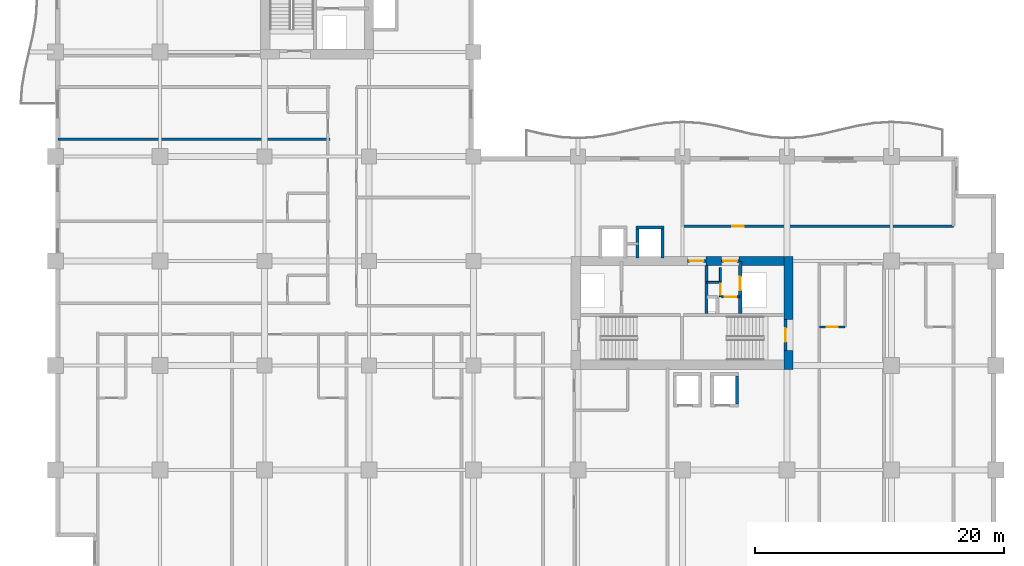
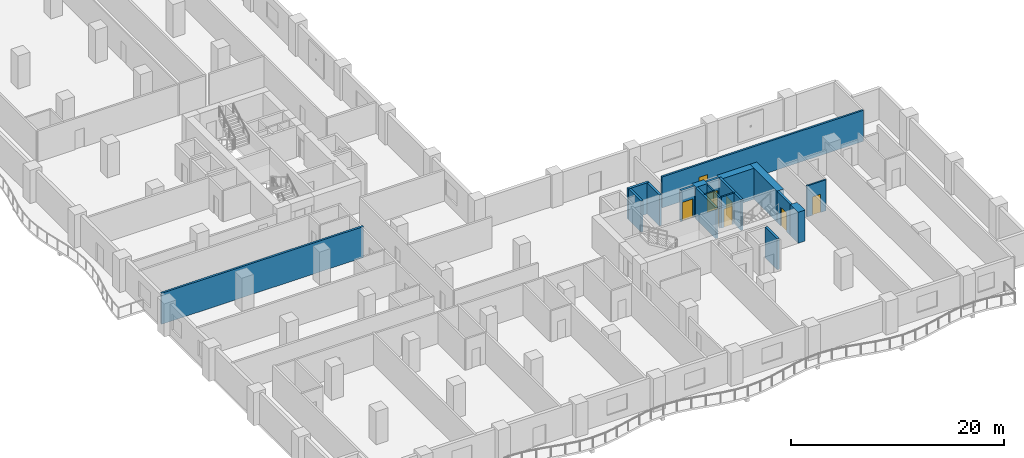
# One storey, part 9 of 21: 19 walls, 8 doors, 8 openings.
"""IFC4 building model written with IfcOpenShell, lengths in metres."""

from ifc_helpers import new_model, si_unit, direction, frame, frame_2d, origin, place, context, subcontext, project, spatial, rectangle, extrude, material, layer, layer_set, type_object, element, fill, save


model = new_model("IFC4")

# Units and contexts
model_context = context("Model", 3, precision=1e-05, world=origin(), true_north=direction((0.0, 1.0)))
body_context = subcontext(model_context, "Body", "Model", "MODEL_VIEW")
ifc_project = project(units=[si_unit("LENGTHUNIT", "METRE"), si_unit("AREAUNIT", "SQUARE_METRE"), si_unit("VOLUMEUNIT", "CUBIC_METRE"), si_unit("PLANEANGLEUNIT", "RADIAN"), si_unit("MASSUNIT", "GRAM", prefix="KILO")], contexts=[model_context])

# Site, building, storey
site_placement = place(None, origin())
site = spatial("IfcSite", under=ifc_project, at=site_placement, CompositionType="ELEMENT")
building_placement = place(site_placement, origin())
building = spatial("IfcBuilding", under=site, at=building_placement, Name="Koriwani Terraces Tower", CompositionType="ELEMENT")
storey_placement = place(building_placement, frame((0.0, 0.0, 111.39990234375)))
storey = spatial("IfcBuildingStorey", under=building, at=storey_placement, Name="L26", CompositionType="ELEMENT", Elevation=111.39990234375)

# Walls
ifc_material_1 = material(Name="Concrete C60/75", Category="concrete")
ifc_layer_1 = layer(ifc_material_1, 0.75, Name="Concrete C60/75")
ifc_layer_set_1 = layer_set([ifc_layer_1], Name="Concrete C60/75")
wall_type_1 = type_object("IfcWallType", Name="WALL_CORE_RC_750", PredefinedType="SHEAR", material=ifc_layer_set_1)
wall_1_placement = place(storey_placement, frame((58.925048828125, 16.5, 0.0), z_axis=(0.0, 0.0, 1.0), x_axis=(0.0, 1.0, 0.0)))
element("IfcWall", 1, at=wall_1_placement, inside=storey, type_object=wall_type_1, Name="L26 East Split Core Shear Wall E1", PredefinedType="SHEAR", context=body_context, shape_type="SweptSolid", body=[
    extrude(rectangle(XDim=1.5, YDim=0.75, at=frame_2d((0.75, 0.0))), origin(), (0.0, 0.0, 1.0), 3.550048828125),
])
wall_2_placement = place(storey_placement, frame((58.925048828125, 20.5, 0.0), z_axis=(0.0, 0.0, 1.0), x_axis=(0.0, 1.0, 0.0)))
element("IfcWall", 2, at=wall_2_placement, inside=storey, type_object=wall_type_1, Name="L26 East Split Core Shear Wall E2", PredefinedType="SHEAR", context=body_context, shape_type="SweptSolid", body=[
    extrude(rectangle(XDim=5.074951171875, YDim=0.75, at=frame_2d((2.53759765625, 0.0))), origin(), (0.0, 0.0, 1.0), 3.550048828125),
])
wall_3_placement = place(storey_placement, frame((52.280029296875, 25.199951171875, 0.0), z_axis=(0.0, 0.0, 1.0), x_axis=(1.0, 0.0, 0.0)))
element("IfcWall", 3, at=wall_3_placement, inside=storey, type_object=wall_type_1, Name="L26 East Split Core Shear Wall N2", PredefinedType="SHEAR", context=body_context, shape_type="SweptSolid", body=[
    extrude(rectangle(XDim=1.27001953125, YDim=0.75, at=frame_2d((0.635009765625, 0.0))), origin(), (0.0, 0.0, 1.0), 3.550048828125),
])
wall_4_placement = place(storey_placement, frame((54.949951171875, 25.199951171875, 0.0), z_axis=(0.0, 0.0, 1.0), x_axis=(1.0, 0.0, 0.0)))
element("IfcWall", 4, at=wall_4_placement, inside=storey, type_object=wall_type_1, Name="L26 East Split Core Shear Wall N3", PredefinedType="SHEAR", context=body_context, shape_type="SweptSolid", body=[
    extrude(rectangle(XDim=3.60009765625, YDim=0.75, at=frame_2d((1.800048828125, 0.0))), origin(), (0.0, 0.0, 1.0), 3.550048828125),
])

# Wall, opening, door
ifc_material_2 = material(Name="Autoclaved Cellular Concrete Blockwork", Category="masonry")
ifc_layer_2 = layer(ifc_material_2, 0.199951171875, Name="Autoclaved Cellular Concrete Blockwork")
ifc_layer_set_2 = layer_set([ifc_layer_2], Name="Autoclaved Cellular Concrete Blockwork")
wall_type_2 = type_object("IfcWallType", Name="WALL_CORRIDOR_200", PredefinedType="PARTITIONING", material=ifc_layer_set_2)
wall_5_placement = place(storey_placement, frame((50.39990234375, 28.0, 0.0), z_axis=(0.0, 0.0, 1.0), x_axis=(1.0, 0.0, 0.0)))
wall_5 = element("IfcWall", 5, at=wall_5_placement, inside=storey, type_object=wall_type_2, Name="L26 Interior Wall WSEC-S-L26", PredefinedType="PARTITIONING", context=body_context, shape_type="SweptSolid", body=[
    extrude(rectangle(XDim=21.800048828125, YDim=0.199951171875, at=frame_2d((10.89990234375, 0.0))), origin(), (0.0, 0.0, 1.0), 3.550048828125),
])
opening_1_placement = place(wall_5_placement, frame((4.0, 0.0, 0.0)))
opening_1 = element("IfcOpeningElement", 6, at=opening_1_placement, cuts=wall_5, Name="Opening D-06", PredefinedType="OPENING", context=body_context, shape_type="SweptSolid", body=[
    extrude(rectangle(XDim=0.919921875, YDim=2.10009765625, at=frame_2d((0.4599609375, 1.050048828125))), frame((0.0, 0.10986328125, 0.0), z_axis=(0.0, -1.0, 0.0), x_axis=(1.0, 0.0, 0.0)), (0.0, 0.0, 1.0), 0.219970703125),
])
ifc_material_3 = material(Name="Architectural Oak Fire Door", Category="wood")
door_type_1 = type_object("IfcDoorType", Name="DOOR_ROOM_INT_920X2100", OperationType="NOTDEFINED", PredefinedType="DOOR", material=ifc_material_3)
door_1_placement = place(opening_1_placement, origin())
door_1 = element("IfcDoor", 7, at=door_1_placement, inside=storey, type_object=door_type_1, Name="L26 East Court Study Door", OperationType="SINGLE_SWING_RIGHT", OverallHeight=2.10009765625, OverallWidth=0.919921875, PredefinedType="DOOR", context=body_context, shape_type="SweptSolid", body=[
    extrude(rectangle(XDim=0.919921875, YDim=2.10009765625, at=frame_2d((0.4599609375, 1.050048828125))), frame((0.0, 0.02490234375, 0.0), z_axis=(0.0, -1.0, 0.0), x_axis=(1.0, 0.0, 0.0)), (0.0, 0.0, 1.0), 0.050048828125),
])
fill(opening_1, door_1)

# Wall
ifc_layer_3 = layer(ifc_material_2, 0.219970703125, Name="Autoclaved Cellular Concrete Blockwork")
ifc_layer_set_3 = layer_set([ifc_layer_3], Name="Autoclaved Cellular Concrete Blockwork")
wall_type_3 = type_object("IfcWallType", Name="WALL_DEMISING_220", PredefinedType="PARTITIONING", material=ifc_layer_set_3)
wall_6_placement = place(storey_placement, frame((0.199951171875, 35.0, 0.0), z_axis=(0.0, 0.0, 1.0), x_axis=(1.0, 0.0, 0.0)))
element("IfcWall", 8, at=wall_6_placement, inside=storey, type_object=wall_type_3, Name="L26 Interior Wall WDEM-L26-NW-2", PredefinedType="PARTITIONING", context=body_context, shape_type="SweptSolid", body=[
    extrude(rectangle(XDim=21.880126953125, YDim=0.219970703125, at=frame_2d((10.93994140625, 0.0))), origin(), (0.0, 0.0, 1.0), 3.550048828125),
])

# Wall, opening, door
ifc_material_4 = material(Name="Fire-Rated Acoustic Gypsum Partition", Category="masonry")
ifc_layer_4 = layer(ifc_material_4, 0.179931640625, Name="Fire-Rated Acoustic Gypsum Partition")
ifc_layer_set_4 = layer_set([ifc_layer_4], Name="Fire-Rated Acoustic Gypsum Partition")
wall_type_4 = type_object("IfcWallType", Name="WALL_PLUMBING_180", PredefinedType="PLUMBINGWALL", material=ifc_layer_set_4)
wall_7_placement = place(storey_placement, frame((61.39990234375, 19.89990234375, 0.0), z_axis=(0.0, 0.0, 1.0), x_axis=(1.0, 0.0, 0.0)))
wall_7 = element("IfcWall", 9, at=wall_7_placement, inside=storey, type_object=wall_type_4, Name="L26 Interior Wall WBTH1-L26-SE-0", PredefinedType="PLUMBINGWALL", context=body_context, shape_type="SweptSolid", body=[
    extrude(rectangle(XDim=2.080078125, YDim=0.179931640625, at=frame_2d((1.0400390625, 0.0))), origin(), (0.0, 0.0, 1.0), 3.550048828125),
])
opening_2_placement = place(wall_7_placement, frame((0.590087890625, 0.0, 0.0)))
opening_2 = element("IfcOpeningElement", 10, at=opening_2_placement, cuts=wall_7, Name="Opening D-07", PredefinedType="OPENING", context=body_context, shape_type="SweptSolid", body=[
    extrude(rectangle(XDim=0.89990234375, YDim=2.10009765625, at=frame_2d((0.449951171875, 1.050048828125))), frame((0.0, 0.10009765625, 0.0), z_axis=(0.0, -1.0, 0.0), x_axis=(1.0, 0.0, 0.0)), (0.0, 0.0, 1.0), 0.199951171875),
])
door_type_2 = type_object("IfcDoorType", Name="DOOR_BATH_INT_900X2100", OperationType="NOTDEFINED", PredefinedType="DOOR", material=ifc_material_3)
door_2_placement = place(opening_2_placement, origin())
door_2 = element("IfcDoor", 11, at=door_2_placement, inside=storey, type_object=door_type_2, Name="En-Suite Bathroom 26SE1 Door", OperationType="SINGLE_SWING_LEFT", OverallHeight=2.10009765625, OverallWidth=0.89990234375, PredefinedType="DOOR", context=body_context, shape_type="SweptSolid", body=[
    extrude(rectangle(XDim=0.89990234375, YDim=2.10009765625, at=frame_2d((0.449951171875, 1.050048828125))), frame((0.0, 0.02490234375, 0.0), z_axis=(0.0, -1.0, 0.0), x_axis=(1.0, 0.0, 0.0)), (0.0, 0.0, 1.0), 0.050048828125),
])
fill(opening_2, door_2)

ifc_material_5 = material(Name="Concrete C40/50", Category="concrete")
ifc_layer_5 = layer(ifc_material_5, 0.25, Name="Concrete C40/50")
ifc_layer_set_5 = layer_set([ifc_layer_5], Name="Concrete C40/50")
wall_type_5 = type_object("IfcWallType", Name="WALL_SHAFT_RATED_250", PredefinedType="SOLIDWALL", material=ifc_layer_set_5)
wall_8_placement = place(storey_placement, frame((58.675048828125, 18.0, 0.0), z_axis=(0.0, 0.0, 1.0), x_axis=(0.0, 1.0, 0.0)))
wall_8 = element("IfcWall", 12, at=wall_8_placement, inside=storey, type_object=wall_type_5, Name="L26 Interior Wall WIN-CE-L26-STE", PredefinedType="SOLIDWALL", context=body_context, shape_type="SweptSolid", body=[
    extrude(rectangle(XDim=2.5, YDim=0.25, at=frame_2d((1.25, 0.0))), origin(), (0.0, 0.0, 1.0), 3.550048828125),
])
opening_3_placement = place(wall_8_placement, frame((0.699951171875, 0.0, 0.0)))
opening_3 = element("IfcOpeningElement", 13, at=opening_3_placement, cuts=wall_8, Name="Opening D-03", PredefinedType="OPENING", context=body_context, shape_type="SweptSolid", body=[
    extrude(rectangle(XDim=1.10009765625, YDim=2.14990234375, at=frame_2d((0.550048828125, 1.074951171875))), frame((0.0, 0.135009765625, 0.0), z_axis=(0.0, -1.0, 0.0), x_axis=(1.0, 0.0, 0.0)), (0.0, 0.0, 1.0), 0.27001953125),
])
ifc_material_6 = material(Name="Steel ASTM A572 Grade 50", Category="steel")
door_type_3 = type_object("IfcDoorType", Name="DOOR_STAIR_FIRE_1100X2150", OperationType="NOTDEFINED", PredefinedType="DOOR", material=ifc_material_6)
door_3_placement = place(opening_3_placement, origin())
door_3 = element("IfcDoor", 14, at=door_3_placement, inside=storey, type_object=door_type_3, Name="L26 Exit Stair ST-E2 Door", OperationType="SINGLE_SWING_RIGHT", OverallHeight=2.14990234375, OverallWidth=1.10009765625, PredefinedType="DOOR", context=body_context, shape_type="SweptSolid", body=[
    extrude(rectangle(XDim=1.10009765625, YDim=2.14990234375, at=frame_2d((0.550048828125, 1.074951171875))), frame((0.0, 0.02490234375, 0.0), z_axis=(0.0, -1.0, 0.0), x_axis=(1.0, 0.0, 0.0)), (0.0, 0.0, 1.0), 0.050048828125),
])
fill(opening_3, door_3)

wall_9_placement = place(storey_placement, frame((50.800048828125, 25.199951171875, 0.0), z_axis=(0.0, 0.0, 1.0), x_axis=(1.0, 0.0, 0.0)))
wall_9 = element("IfcWall", 15, at=wall_9_placement, inside=storey, type_object=wall_type_5, Name="L26 Interior Wall WIN-CE-L26-NP", PredefinedType="SOLIDWALL", context=body_context, shape_type="SweptSolid", body=[
    extrude(rectangle(XDim=1.47998046875, YDim=0.25, at=frame_2d((0.739990234375, 0.0))), origin(), (0.0, 0.0, 1.0), 3.550048828125),
])
opening_4_placement = place(wall_9_placement, frame((0.179931640625, 0.0, 0.0)))
opening_4 = element("IfcOpeningElement", 16, at=opening_4_placement, cuts=wall_9, Name="Opening D-03", PredefinedType="OPENING", context=body_context, shape_type="SweptSolid", body=[
    extrude(rectangle(XDim=1.10009765625, YDim=2.14990234375, at=frame_2d((0.550048828125, 1.074951171875))), frame((0.0, 0.135009765625, 0.0), z_axis=(0.0, -1.0, 0.0), x_axis=(1.0, 0.0, 0.0)), (0.0, 0.0, 1.0), 0.27001953125),
])
door_4_placement = place(opening_4_placement, origin())
door_4 = element("IfcDoor", 17, at=door_4_placement, inside=storey, type_object=door_type_3, Name="L26 East Firefighting Lobby Door", OperationType="SINGLE_SWING_LEFT", OverallHeight=2.14990234375, OverallWidth=1.10009765625, PredefinedType="DOOR", context=body_context, shape_type="SweptSolid", body=[
    extrude(rectangle(XDim=1.10009765625, YDim=2.14990234375, at=frame_2d((0.550048828125, 1.074951171875))), frame((0.0, 0.02490234375, 0.0), z_axis=(0.0, -1.0, 0.0), x_axis=(1.0, 0.0, 0.0)), (0.0, 0.0, 1.0), 0.050048828125),
])
fill(opening_4, door_4)

# Wall
wall_10_placement = place(storey_placement, frame((52.340087890625, 21.0, 0.0), z_axis=(0.0, 0.0, 1.0), x_axis=(0.0, 1.0, 0.0)))
element("IfcWall", 18, at=wall_10_placement, inside=storey, type_object=wall_type_5, Name="L26 Interior Wall WIN-CE-L26-FFE", PredefinedType="SOLIDWALL", context=body_context, shape_type="SweptSolid", body=[
    extrude(rectangle(XDim=3.824951171875, YDim=0.25, at=frame_2d((1.91259765625, 0.0))), origin(), (0.0, 0.0, 1.0), 3.550048828125),
])

# Wall, opening, door
wall_11_placement = place(storey_placement, frame((55.050048828125, 21.0, 0.0), z_axis=(0.0, 0.0, 1.0), x_axis=(0.0, 1.0, 0.0)))
wall_11 = element("IfcWall", 19, at=wall_11_placement, inside=storey, type_object=wall_type_5, Name="L26 Interior Wall WIN-CE-L26-SE", PredefinedType="SOLIDWALL", context=body_context, shape_type="SweptSolid", body=[
    extrude(rectangle(XDim=4.14990234375, YDim=0.25, at=frame_2d((2.074951171875, 0.0))), origin(), (0.0, 0.0, 1.0), 3.550048828125),
])
opening_5_placement = place(wall_11_placement, frame((1.85009765625, 0.0, 0.0)))
opening_5 = element("IfcOpeningElement", 20, at=opening_5_placement, cuts=wall_11, Name="Opening LD-01", PredefinedType="OPENING", context=body_context, shape_type="SweptSolid", body=[
    extrude(rectangle(XDim=1.10009765625, YDim=2.14990234375, at=frame_2d((0.550048828125, 1.074951171875))), frame((0.0, 0.135009765625, 0.0), z_axis=(0.0, -1.0, 0.0), x_axis=(1.0, 0.0, 0.0)), (0.0, 0.0, 1.0), 0.27001953125),
])
door_type_4 = type_object("IfcDoorType", Name="DOOR_LIFT_LANDING_1100X2200", OperationType="NOTDEFINED", PredefinedType="DOOR", material=ifc_material_6)
door_5_placement = place(opening_5_placement, origin())
door_5 = element("IfcDoor", 21, at=door_5_placement, inside=storey, type_object=door_type_4, Name="L26 Goods Lift SE-02 Landing Door", OperationType="SLIDING_TO_LEFT", OverallHeight=2.14990234375, OverallWidth=1.10009765625, PredefinedType="DOOR", context=body_context, shape_type="SweptSolid", body=[
    extrude(rectangle(XDim=1.10009765625, YDim=2.14990234375, at=frame_2d((0.550048828125, 1.074951171875))), frame((0.0, 0.02490234375, 0.0), z_axis=(0.0, -1.0, 0.0), x_axis=(1.0, 0.0, 0.0)), (0.0, 0.0, 1.0), 0.050048828125),
])
fill(opening_5, door_5)

wall_12_placement = place(storey_placement, frame((53.550048828125, 25.199951171875, 0.0), z_axis=(0.0, 0.0, 1.0), x_axis=(1.0, 0.0, 0.0)))
wall_12 = element("IfcWall", 22, at=wall_12_placement, inside=storey, type_object=wall_type_5, Name="L26 Interior Wall WIN-CE-L26-NP2", PredefinedType="SOLIDWALL", context=body_context, shape_type="SweptSolid", body=[
    extrude(rectangle(XDim=1.39990234375, YDim=0.25, at=frame_2d((0.699951171875, 0.0))), origin(), (0.0, 0.0, 1.0), 3.550048828125),
])
opening_6_placement = place(wall_12_placement, frame((0.14990234375, 0.0, 0.0)))
opening_6 = element("IfcOpeningElement", 23, at=opening_6_placement, cuts=wall_12, Name="Opening D-03", PredefinedType="OPENING", context=body_context, shape_type="SweptSolid", body=[
    extrude(rectangle(XDim=1.10009765625, YDim=2.14990234375, at=frame_2d((0.550048828125, 1.074951171875))), frame((0.0, 0.135009765625, 0.0), z_axis=(0.0, -1.0, 0.0), x_axis=(1.0, 0.0, 0.0)), (0.0, 0.0, 1.0), 0.27001953125),
])
door_6_placement = place(opening_6_placement, origin())
door_6 = element("IfcDoor", 24, at=door_6_placement, inside=storey, type_object=door_type_3, Name="L26 East Goods Lift Lobby Door", OperationType="SINGLE_SWING_RIGHT", OverallHeight=2.14990234375, OverallWidth=1.10009765625, PredefinedType="DOOR", context=body_context, shape_type="SweptSolid", body=[
    extrude(rectangle(XDim=1.10009765625, YDim=2.14990234375, at=frame_2d((0.550048828125, 1.074951171875))), frame((0.0, 0.02490234375, 0.0), z_axis=(0.0, -1.0, 0.0), x_axis=(1.0, 0.0, 0.0)), (0.0, 0.0, 1.0), 0.050048828125),
])
fill(opening_6, door_6)

# Walls
for number, where, z_axis, x_axis, name in (
    (25, (54.800048828125, 13.72509765625, 0.0), (0.0, 0.0, 1.0), (0.0, 1.0, 0.0), "L26 Interior Wall WIN-LF-PE-M4-L26-E"),
    (26, (46.675048828125, 27.89990234375, 0.0), (0.0, 0.0, 1.0), (1.0, 0.0, 0.0), "L26 Interior Wall WIN-LF-PE-H4-L26-F"),
):
    element("IfcWall", number, at=place(storey_placement, frame(where, z_axis=z_axis, x_axis=x_axis)), inside=storey, type_object=wall_type_5, Name=name, PredefinedType="SOLIDWALL", context=body_context, shape_type="SweptSolid", body=[
        extrude(rectangle(XDim=2.25, YDim=0.25, at=frame_2d((1.125, 0.0))), origin(), (0.0, 0.0, 1.0), 3.550048828125),
    ])
for number, where, z_axis, x_axis, name in (
    (27, (46.800048828125, 25.449951171875, 0.0), (0.0, 0.0, 1.0), (0.0, 1.0, 0.0), "L26 Interior Wall WIN-LF-PE-H4-L26-W"),
    (28, (48.800048828125, 25.449951171875, 0.0), (0.0, 0.0, 1.0), (0.0, 1.0, 0.0), "L26 Interior Wall WIN-LF-PE-H4-L26-E"),
):
    element("IfcWall", number, at=place(storey_placement, frame(where, z_axis=z_axis, x_axis=x_axis)), inside=storey, type_object=wall_type_5, Name=name, PredefinedType="SOLIDWALL", context=body_context, shape_type="SweptSolid", body=[
        extrude(rectangle(XDim=2.324951171875, YDim=0.25, at=frame_2d((1.16259765625, 0.0))), origin(), (0.0, 0.0, 1.0), 3.550048828125),
    ])

# Wall, opening, door
ifc_layer_6 = layer(ifc_material_4, 0.159912109375, Name="Fire-Rated Acoustic Gypsum Partition")
ifc_layer_set_6 = layer_set([ifc_layer_6], Name="Fire-Rated Acoustic Gypsum Partition")
wall_type_6 = type_object("IfcWallType", Name="WALL_SUITE_160", PredefinedType="PARTITIONING", material=ifc_layer_set_6)
wall_13_placement = place(storey_placement, frame((53.56005859375, 22.320068359375, 0.0), z_axis=(0.0, 0.0, 1.0), x_axis=(1.0, 0.0, 0.0)))
wall_13 = element("IfcWall", 29, at=wall_13_placement, inside=storey, type_object=wall_type_6, Name="L26 Interior Wall WIN-CE-L26-SV2A", PredefinedType="PARTITIONING", context=body_context, shape_type="SweptSolid", body=[
    extrude(rectangle(XDim=1.43994140625, YDim=0.159912109375, at=frame_2d((0.719970703125, 0.0))), origin(), (0.0, 0.0, 1.0), 3.550048828125),
])
opening_7_placement = place(wall_13_placement, frame((0.260009765625, 0.0, 0.0)))
opening_7 = element("IfcOpeningElement", 30, at=opening_7_placement, cuts=wall_13, Name="Opening D-07", PredefinedType="OPENING", context=body_context, shape_type="SweptSolid", body=[
    extrude(rectangle(XDim=0.89990234375, YDim=2.10009765625, at=frame_2d((0.449951171875, 1.050048828125))), frame((0.0, 0.08984375, 0.0), z_axis=(0.0, -1.0, 0.0), x_axis=(1.0, 0.0, 0.0)), (0.0, 0.0, 1.0), 0.179931640625),
])
door_7_placement = place(opening_7_placement, origin())
door_7 = element("IfcDoor", 31, at=door_7_placement, inside=storey, type_object=door_type_2, Name="L26 East Meter Room Door", OperationType="SINGLE_SWING_LEFT", OverallHeight=2.10009765625, OverallWidth=0.89990234375, PredefinedType="DOOR", context=body_context, shape_type="SweptSolid", body=[
    extrude(rectangle(XDim=0.89990234375, YDim=2.10009765625, at=frame_2d((0.449951171875, 1.050048828125))), frame((0.0, 0.02490234375, 0.0), z_axis=(0.0, -1.0, 0.0), x_axis=(1.0, 0.0, 0.0)), (0.0, 0.0, 1.0), 0.050048828125),
])
fill(opening_7, door_7)

wall_14_placement = place(storey_placement, frame((53.4599609375, 22.320068359375, 0.0), z_axis=(0.0, 0.0, 1.0), x_axis=(0.0, 1.0, 0.0)))
wall_14 = element("IfcWall", 32, at=wall_14_placement, inside=storey, type_object=wall_type_6, Name="L26 Interior Wall WIN-CE-L26-SV2H", PredefinedType="PARTITIONING", context=body_context, shape_type="SweptSolid", body=[
    extrude(rectangle(XDim=2.35986328125, YDim=0.159912109375, at=frame_2d((1.179931640625, 0.0))), origin(), (0.0, 0.0, 1.0), 3.550048828125),
])
opening_8_placement = place(wall_14_placement, frame((0.159912109375, 0.0, 0.0)))
opening_8 = element("IfcOpeningElement", 33, at=opening_8_placement, cuts=wall_14, Name="Opening D-07", PredefinedType="OPENING", context=body_context, shape_type="SweptSolid", body=[
    extrude(rectangle(XDim=0.89990234375, YDim=2.10009765625, at=frame_2d((0.449951171875, 1.050048828125))), frame((0.0, 0.08984375, 0.0), z_axis=(0.0, -1.0, 0.0), x_axis=(1.0, 0.0, 0.0)), (0.0, 0.0, 1.0), 0.179931640625),
])
door_8_placement = place(opening_8_placement, origin())
door_8 = element("IfcDoor", 34, at=door_8_placement, inside=storey, type_object=door_type_2, Name="L26 East Valve Room Door", OperationType="SINGLE_SWING_RIGHT", OverallHeight=2.10009765625, OverallWidth=0.89990234375, PredefinedType="DOOR", context=body_context, shape_type="SweptSolid", body=[
    extrude(rectangle(XDim=0.89990234375, YDim=2.10009765625, at=frame_2d((0.449951171875, 1.050048828125))), frame((0.0, 0.02490234375, 0.0), z_axis=(0.0, -1.0, 0.0), x_axis=(1.0, 0.0, 0.0)), (0.0, 0.0, 1.0), 0.050048828125),
])
fill(opening_8, door_8)

# Wall
wall_15_placement = place(storey_placement, frame((52.360107421875, 23.47998046875, 0.0), z_axis=(0.0, 0.0, 1.0), x_axis=(1.0, 0.0, 0.0)))
element("IfcWall", 35, at=wall_15_placement, inside=storey, type_object=wall_type_6, Name="L26 Interior Wall WIN-CE-L26-SV2V", PredefinedType="PARTITIONING", context=body_context, shape_type="SweptSolid", body=[
    extrude(rectangle(XDim=1.099853515625, YDim=0.159912109375, at=frame_2d((0.5498046875, 0.0))), origin(), (0.0, 0.0, 1.0), 3.550048828125),
])

save(model, "model.ifc")
